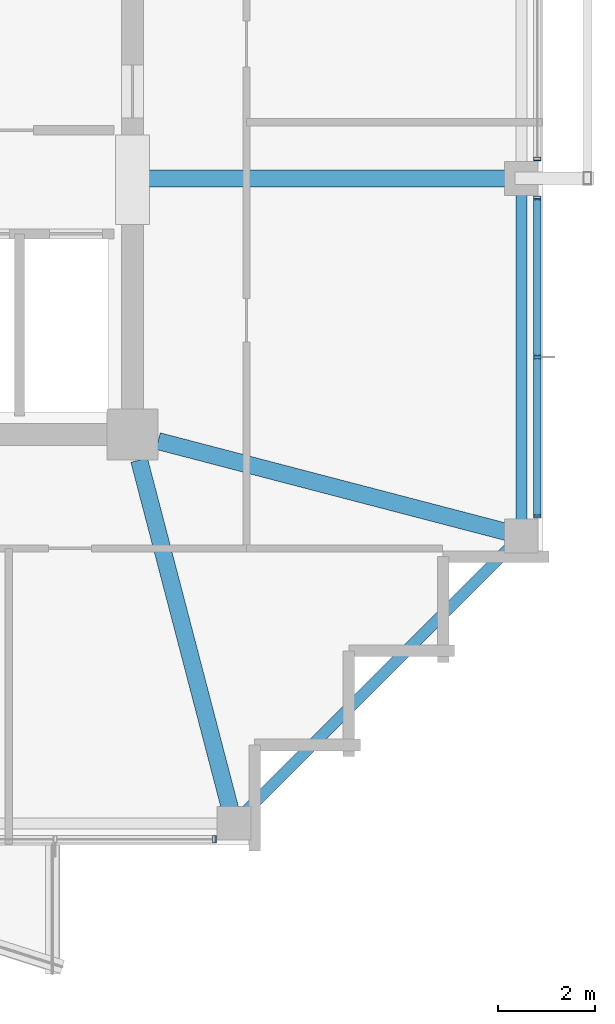
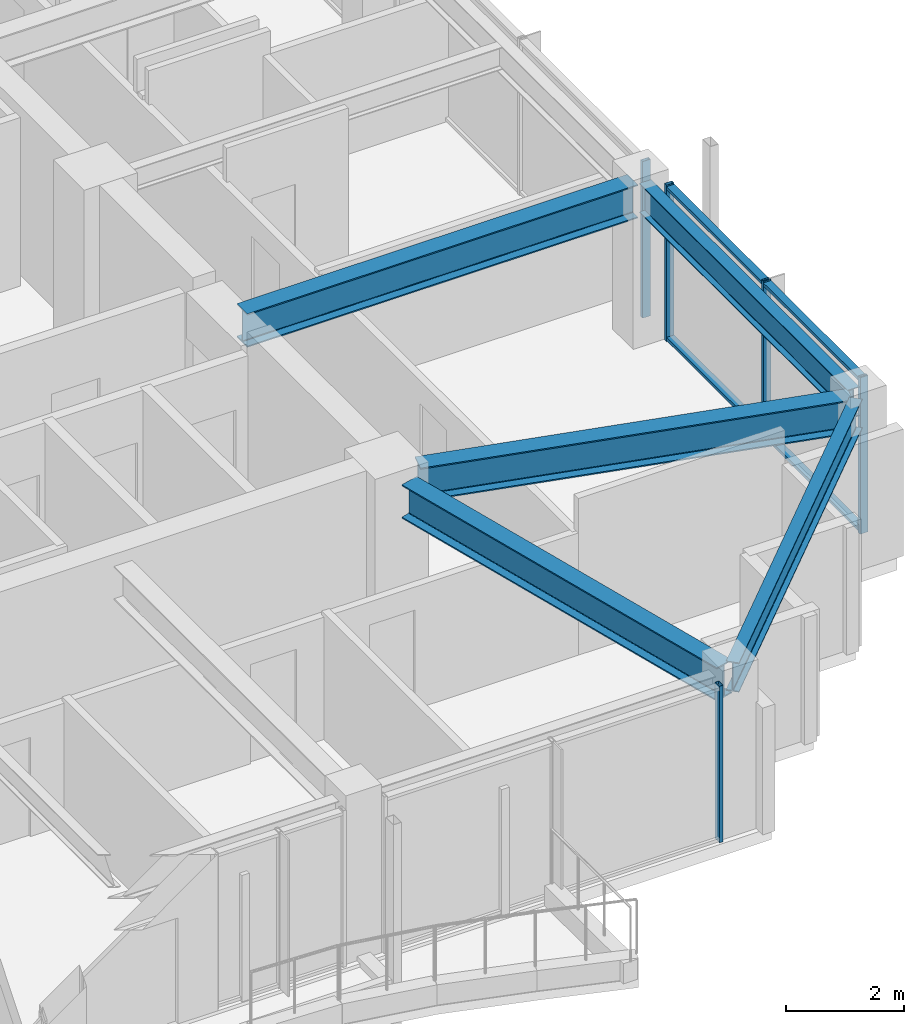
# One storey, part 12 of 34: 7 members, 5 beams, 3 elements without a shape of their own.
"""IFC4 building model written with IfcOpenShell, lengths in metres."""

from ifc_helpers import new_model, si_unit, direction, frame, origin, origin_2d, place, context, subcontext, project, spatial, hollow_rectangle, i_section, extrude, material, material_profile, profile_set, type_object, element, aggregate, save


model = new_model("IFC4")

# Units and contexts
model_context = context("Model", 3, precision=1e-05, world=origin(), true_north=direction((0.0, 1.0)))
body_context = subcontext(model_context, "Body", "Model", "MODEL_VIEW")
ifc_project = project(units=[si_unit("LENGTHUNIT", "METRE"), si_unit("AREAUNIT", "SQUARE_METRE"), si_unit("VOLUMEUNIT", "CUBIC_METRE"), si_unit("PLANEANGLEUNIT", "RADIAN"), si_unit("MASSUNIT", "GRAM", prefix="KILO")], contexts=[model_context])

# Site, building, storey
site_placement = place(None, origin())
site = spatial("IfcSite", under=ifc_project, at=site_placement, CompositionType="ELEMENT")
building_placement = place(site_placement, origin())
building = spatial("IfcBuilding", under=site, at=building_placement, Name="Kolvaren Belvedere", CompositionType="ELEMENT")
storey_placement = place(building_placement, frame((0.0, 0.0, 240.89990234375)))
storey = spatial("IfcBuildingStorey", under=building, at=storey_placement, Name="L70", CompositionType="ELEMENT", Elevation=240.89990234375)

# Beams
ifc_material_1 = material(Name="Structural steel ASTM A992 Grade 50", Category="steel")
ifc_material_profile_1 = material_profile(ifc_material_1, i_section(OverallWidth=0.35498046875, OverallDepth=0.696044921875, WebThickness=0.015380859375, FlangeThickness=0.02490234375, FilletRadius=0.02197265625, at=origin_2d()), Name="W27X146")
ifc_profile_set_1 = profile_set([ifc_material_profile_1], Name="Structural steel ASTM A992 Grade 50")
beam_type_1 = type_object("IfcBeamType", Name="BM-GIRD-W27X146", PredefinedType="BEAM", material=ifc_profile_set_1)
beam_1_placement = place(storey_placement, frame((10.125, -4.60009765625, 2.902099609375), z_axis=(1.0, 0.0, 0.0), x_axis=(0.0, 1.0, 0.0)))
element("IfcBeam", 1, at=beam_1_placement, inside=storey, type_object=beam_type_1, Name="L70 East Radial Girder M", PredefinedType="BEAM", context=body_context, shape_type="SweptSolid", body=[
    extrude(i_section(OverallWidth=0.35498046875, OverallDepth=0.696044921875, WebThickness=0.015380859375, FlangeThickness=0.02490234375, FilletRadius=0.02197265625, at=origin_2d()), origin(), (0.0, 0.0, 1.0), 7.66748046875),
])
for number, where, z_axis, x_axis, name in (
    (2, (10.038818359375, -10.43212890625, 2.902099609375), (0.25241668651, -0.967618631679, 0.0), (0.967618631679, 0.25241668651, 0.0), "L70 Corner Core-to-Perimeter Girder CC2-S4"),
    (3, (10.43212890625, -10.038818359375, 2.902099609375), (0.967618631679, -0.25241668651, 0.0), (0.25241668651, 0.967618631679, 0.0), "L70 Corner Core-to-Perimeter Girder CC2-E1"),
):
    element("IfcBeam", number, at=place(storey_placement, frame(where, z_axis=z_axis, x_axis=x_axis)), inside=storey, type_object=beam_type_1, Name=name, PredefinedType="BEAM", context=body_context, shape_type="SweptSolid", body=[
        extrude(i_section(OverallWidth=0.35498046875, OverallDepth=0.696044921875, WebThickness=0.015380859375, FlangeThickness=0.02490234375, FilletRadius=0.02197265625, at=origin_2d()), origin(), (0.0, 0.0, 1.0), 7.62939453125),
    ])
ifc_material_2 = material(Name="Structural steel ASTM A992 Grade 50", Category="steel")
ifc_material_profile_2 = material_profile(ifc_material_2, i_section(OverallWidth=0.22900390625, OverallDepth=0.612060546875, WebThickness=0.011962890625, FlangeThickness=0.01953125, FilletRadius=0.01806640625, at=origin_2d()), Name="W24X84")
ifc_profile_set_2 = profile_set([ifc_material_profile_2], Name="Structural steel ASTM A992 Grade 50")
beam_type_2 = type_object("IfcBeamType", Name="BM-SPAN-W24X84", PredefinedType="SPANDREL", material=ifc_profile_set_2)
beam_2_placement = place(storey_placement, frame((12.111328125, -17.838623046875, 2.944091796875), z_axis=(0.707106781187, 0.707106781187, 0.0), x_axis=(-0.707106781187, 0.707106781187, 0.0)))
element("IfcBeam", 4, at=beam_2_placement, inside=storey, type_object=beam_type_2, Name="L70 Perimeter Spandrel S4-E1", PredefinedType="SPANDREL", context=body_context, shape_type="SweptSolid", body=[
    extrude(i_section(OverallWidth=0.22900390625, OverallDepth=0.612060546875, WebThickness=0.011962890625, FlangeThickness=0.01953125, FilletRadius=0.01806640625, at=origin_2d()), origin(), (0.0, 0.0, 1.0), 8.099609375),
])
beam_3_placement = place(storey_placement, frame((17.949951171875, -11.842529296875, 2.944091796875), z_axis=(0.0, 1.0, 0.0), x_axis=(-1.0, 0.0, 0.0)))
element("IfcBeam", 5, at=beam_3_placement, inside=storey, type_object=beam_type_2, Name="L70 Perimeter Spandrel E1-E2", PredefinedType="SPANDREL", context=body_context, shape_type="SweptSolid", body=[
    extrude(i_section(OverallWidth=0.22900390625, OverallDepth=0.612060546875, WebThickness=0.011962890625, FlangeThickness=0.01953125, FilletRadius=0.01806640625, at=origin_2d()), origin(), (0.0, 0.0, 1.0), 7.0849609375),
])

# Curtain wall, member
ifc_material_3 = material(Name="Anodised pale-metal aluminium AA 6063-T6", Category="aluminium")
curtain_wall_type = type_object("IfcCurtainWallType", Name="CW-Z5-HIGH", PredefinedType="NOTDEFINED", material=ifc_material_3)
curtain_wall_1_placement = place(storey_placement, origin())
curtain_wall_1 = element("IfcCurtainWall", 6, at=curtain_wall_1_placement, inside=storey, type_object=curtain_wall_type, Name="L70 Unitised Curtain Wall FCW-L70-S1-B1", PredefinedType="NOTDEFINED")
ifc_material_4 = material(Name="Anodised pale-metal aluminium AA 6063-T6", Category="aluminium")
ifc_material_profile_3 = material_profile(ifc_material_4, hollow_rectangle(XDim=0.070068359375, YDim=0.14990234375, WallThickness=0.004150390625, at=origin_2d()), Name="ALU-MUL-150X70")
ifc_profile_set_3 = profile_set([ifc_material_profile_3], Name="Anodised pale-metal aluminium AA 6063-T6")
member_type_1 = type_object("IfcMemberType", Name="CW-MUL-150", PredefinedType="MULLION", material=ifc_profile_set_3)
member_1_placement = place(storey_placement, frame((11.594970703125, -18.280029296875, 0.0), z_axis=(0.0, 0.0, 1.0), x_axis=(1.0, 0.0, 0.0)))
member_1 = element("IfcMember", 7, at=member_1_placement, type_object=member_type_1, Name="FCW-L70-S1-B1 Unitised Mullion 1", PredefinedType="MULLION", context=body_context, shape_type="SweptSolid", body=[
    extrude(hollow_rectangle(XDim=0.070068359375, YDim=0.14990234375, WallThickness=0.004150390625, at=origin_2d()), origin(), (0.0, 0.0, 1.0), 3.25),
])
aggregate(curtain_wall_1, [member_1])

curtain_wall_2_placement = place(storey_placement, origin())
curtain_wall_2 = element("IfcCurtainWall", 8, at=curtain_wall_2_placement, inside=storey, type_object=curtain_wall_type, Name="L70 Unitised Curtain Wall FCW-L70-E-B2", PredefinedType="NOTDEFINED")
member_2_placement = place(storey_placement, frame((18.280029296875, -4.195068359375, 0.0), z_axis=(0.0, 0.0, 1.0), x_axis=(0.0, 1.0, 0.0)))
member_2 = element("IfcMember", 9, at=member_2_placement, type_object=member_type_1, Name="FCW-L70-E-B2 Unitised Mullion 3", PredefinedType="MULLION", context=body_context, shape_type="SweptSolid", body=[
    extrude(hollow_rectangle(XDim=0.070068359375, YDim=0.14990234375, WallThickness=0.004150390625, at=origin_2d()), origin(), (0.0, 0.0, 1.0), 3.25),
])
aggregate(curtain_wall_2, [member_2])

# Curtain wall, members
curtain_wall_3_placement = place(storey_placement, origin())
curtain_wall_3 = element("IfcCurtainWall", 10, at=curtain_wall_3_placement, inside=storey, type_object=curtain_wall_type, Name="L70 Unitised Curtain Wall FCW-L70-E-B3", PredefinedType="NOTDEFINED")
member_3_placement = place(storey_placement, frame((18.280029296875, -5.0048828125, 0.0), z_axis=(0.0, 0.0, 1.0), x_axis=(0.0, 1.0, 0.0)))
member_3 = element("IfcMember", 11, at=member_3_placement, type_object=member_type_1, Name="FCW-L70-E-B3 Unitised Mullion 1", PredefinedType="MULLION", context=body_context, shape_type="SweptSolid", body=[
    extrude(hollow_rectangle(XDim=0.070068359375, YDim=0.14990234375, WallThickness=0.004150390625, at=origin_2d()), origin(), (0.0, 0.0, 1.0), 3.25),
])
member_4_placement = place(storey_placement, frame((18.280029296875, -8.300048828125, 0.0), z_axis=(0.0, 0.0, 1.0), x_axis=(0.0, 1.0, 0.0)))
member_4 = element("IfcMember", 12, at=member_4_placement, type_object=member_type_1, Name="FCW-L70-E-B3 Unitised Mullion 2", PredefinedType="MULLION", context=body_context, shape_type="SweptSolid", body=[
    extrude(hollow_rectangle(XDim=0.070068359375, YDim=0.14990234375, WallThickness=0.004150390625, at=origin_2d()), origin(), (0.0, 0.0, 1.0), 3.25),
])
member_5_placement = place(storey_placement, frame((18.280029296875, -11.594970703125, 0.0), z_axis=(0.0, 0.0, 1.0), x_axis=(0.0, 1.0, 0.0)))
member_5 = element("IfcMember", 13, at=member_5_placement, type_object=member_type_1, Name="FCW-L70-E-B3 Unitised Mullion 3", PredefinedType="MULLION", context=body_context, shape_type="SweptSolid", body=[
    extrude(hollow_rectangle(XDim=0.070068359375, YDim=0.14990234375, WallThickness=0.004150390625, at=origin_2d()), origin(), (0.0, 0.0, 1.0), 3.25),
])
ifc_material_5 = material(Name="Anodised pale-metal aluminium AA 6063-T6", Category="aluminium")
ifc_material_profile_4 = material_profile(ifc_material_5, hollow_rectangle(XDim=0.06494140625, YDim=0.14990234375, WallThickness=0.00390625, at=origin_2d()), Name="ALU-TRN-150X65")
ifc_profile_set_4 = profile_set([ifc_material_profile_4], Name="Anodised pale-metal aluminium AA 6063-T6")
member_type_2 = type_object("IfcMemberType", Name="CW-TRN-150", PredefinedType="USERDEFINED", material=ifc_profile_set_4)
member_6_placement = place(storey_placement, frame((18.280029296875, -5.0048828125, 0.06005859375), z_axis=(0.0, -1.0, 0.0), x_axis=(0.0, 0.0, 1.0)))
member_6 = element("IfcMember", 14, at=member_6_placement, type_object=member_type_2, Name="FCW-L70-E-B3 Sill Transom", ObjectType="TRANSOM", PredefinedType="USERDEFINED", context=body_context, shape_type="SweptSolid", body=[
    extrude(hollow_rectangle(XDim=0.06494140625, YDim=0.14990234375, WallThickness=0.00390625, at=origin_2d()), origin(), (0.0, 0.0, 1.0), 6.590087890625),
])
member_7_placement = place(storey_placement, frame((18.280029296875, -5.0048828125, 3.190185546875), z_axis=(0.0, -1.0, 0.0), x_axis=(0.0, 0.0, 1.0)))
member_7 = element("IfcMember", 15, at=member_7_placement, type_object=member_type_2, Name="FCW-L70-E-B3 Head Transom", ObjectType="TRANSOM", PredefinedType="USERDEFINED", context=body_context, shape_type="SweptSolid", body=[
    extrude(hollow_rectangle(XDim=0.06494140625, YDim=0.14990234375, WallThickness=0.00390625, at=origin_2d()), origin(), (0.0, 0.0, 1.0), 6.590087890625),
])
aggregate(curtain_wall_3, [member_3, member_4, member_5, member_6, member_7])

save(model, "model.ifc")
